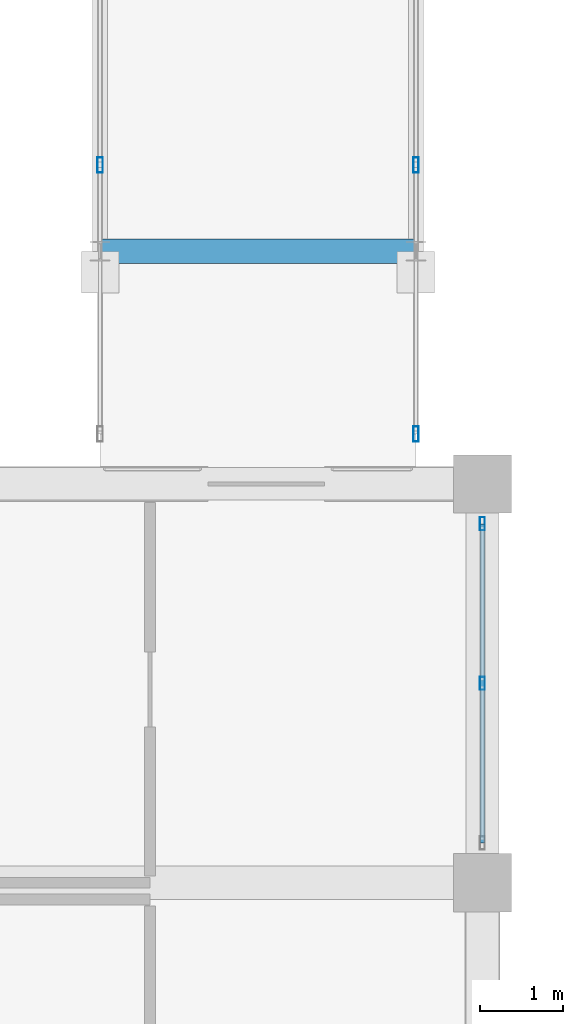
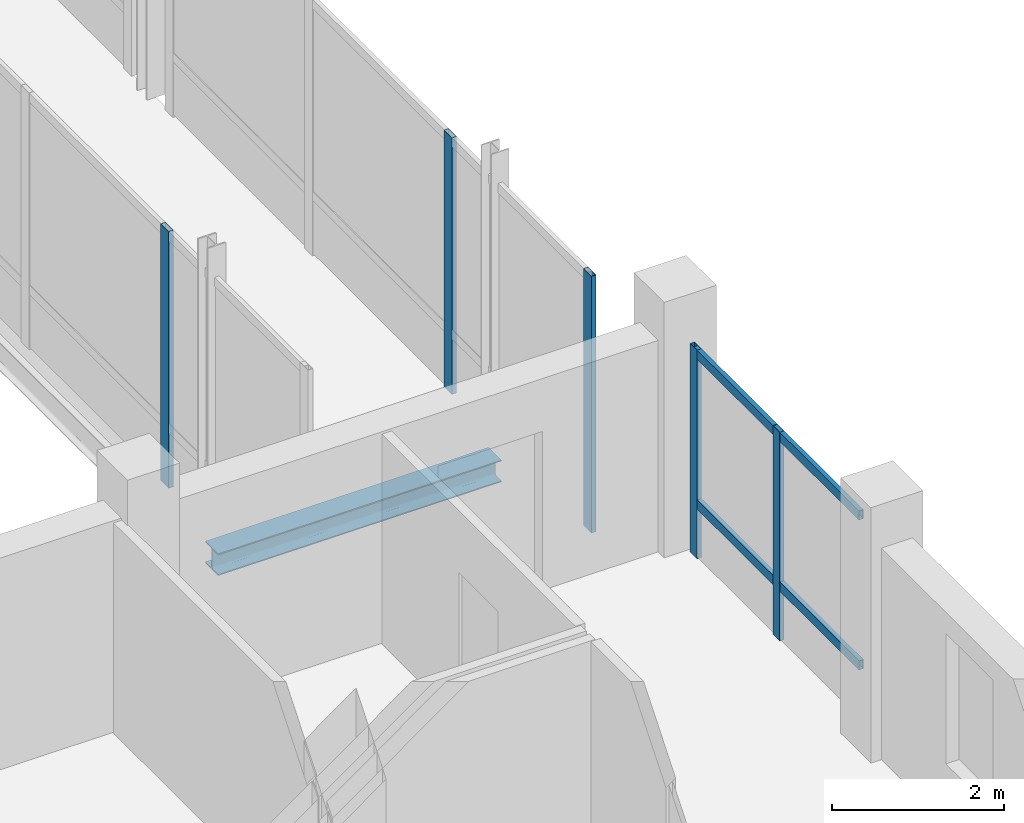
# One storey, part 31 of 128: 7 members, 1 beam, 3 elements without a shape of their own.
"""IFC4 building model written with IfcOpenShell, lengths in metres."""

from ifc_helpers import new_model, si_unit, direction, frame, origin, origin_2d, place, context, subcontext, project, spatial, hollow_rectangle, i_section, extrude, material, material_profile, profile_set, type_object, element, aggregate, save


model = new_model("IFC4")

# Units and contexts
model_context = context("Model", 3, precision=1e-05, world=origin(), true_north=direction((0.0, 1.0)))
body_context = subcontext(model_context, "Body", "Model", "MODEL_VIEW")
ifc_project = project(units=[si_unit("LENGTHUNIT", "METRE"), si_unit("AREAUNIT", "SQUARE_METRE"), si_unit("VOLUMEUNIT", "CUBIC_METRE"), si_unit("PLANEANGLEUNIT", "RADIAN"), si_unit("MASSUNIT", "GRAM", prefix="KILO")], contexts=[model_context])

# Site, building, storey
site_placement = place(None, origin())
site = spatial("IfcSite", under=ifc_project, at=site_placement, CompositionType="ELEMENT")
building_placement = place(site_placement, origin())
building = spatial("IfcBuilding", under=site, at=building_placement, Name="Zornivar Specialist Clinic", CompositionType="ELEMENT")
storey_placement = place(building_placement, frame((0.0, 0.0, 4.5)))
storey = spatial("IfcBuildingStorey", under=building, at=storey_placement, Name="L01", CompositionType="ELEMENT", Elevation=4.5)

# Beam
ifc_material_1 = material(Name="Steel S355J2", Category="steel")
ifc_material_profile_1 = material_profile(ifc_material_1, i_section(OverallWidth=0.300048828125, OverallDepth=0.31005859375, WebThickness=0.009033203125, FlangeThickness=0.015380859375, FilletRadius=0.027099609375, at=origin_2d()), Name="HEA 320")
ifc_profile_set_1 = profile_set([ifc_material_profile_1], Name="Steel S355J2")
beam_type = type_object("IfcBeamType", Name="BM-STL-HEA320", PredefinedType="BEAM", material=ifc_profile_set_1)
beam_placement = place(storey_placement, frame((9.800048828125, 60.39990234375, -0.429931640625), z_axis=(1.0, 0.0, 0.0), x_axis=(0.0, 1.0, 0.0)))
element("IfcBeam", 1, at=beam_placement, inside=storey, type_object=beam_type, Name="bm:BR2:L01:t:604", PredefinedType="BEAM", context=body_context, shape_type="SweptSolid", body=[
    extrude(i_section(OverallWidth=0.300048828125, OverallDepth=0.31005859375, WebThickness=0.009033203125, FlangeThickness=0.015380859375, FilletRadius=0.027099609375, at=origin_2d()), origin(), (0.0, 0.0, 1.0), 3.800048828125),
])

# Curtain wall, members
ifc_material_2 = material(Name="Aluminium and Low-E Glass Curtain Wall", Category="aluminium")
curtain_wall_type_1 = type_object("IfcCurtainWallType", Name="CW-REVAK-COURT", PredefinedType="NOTDEFINED", material=ifc_material_2)
curtain_wall_1_placement = place(storey_placement, origin())
curtain_wall_1 = element("IfcCurtainWall", 2, at=curtain_wall_1_placement, inside=storey, type_object=curtain_wall_type_1, Name="cw:V2:L01:20", PredefinedType="NOTDEFINED")
ifc_material_3 = material(Name="Aluminium AW-6060", Category="aluminium")
ifc_material_profile_2 = material_profile(ifc_material_3, hollow_rectangle(XDim=0.06005859375, YDim=0.159912109375, WallThickness=0.00390625, at=origin_2d()), Name="ALU 60x160x4")
ifc_profile_set_2 = profile_set([ifc_material_profile_2], Name="Aluminium AW-6060")
member_type_1 = type_object("IfcMemberType", Name="CWM-MUL-160", PredefinedType="MULLION", material=ifc_profile_set_2)
member_1_placement = place(storey_placement, frame((14.39990234375, 55.199951171875, 0.0), z_axis=(0.0, 0.0, 1.0), x_axis=(1.0, 0.0, 0.0)))
member_1 = element("IfcMember", 3, at=member_1_placement, type_object=member_type_1, Name="cw:V2:L01:20:mul:1", PredefinedType="MULLION", context=body_context, shape_type="SweptSolid", body=[
    extrude(hollow_rectangle(XDim=0.06005859375, YDim=0.159912109375, WallThickness=0.00390625, at=origin_2d()), origin(), (0.0, 0.0, 1.0), 2.9599609375),
])
member_2_placement = place(storey_placement, frame((14.39990234375, 57.1201171875, 0.0), z_axis=(0.0, 0.0, 1.0), x_axis=(1.0, 0.0, 0.0)))
member_2 = element("IfcMember", 4, at=member_2_placement, type_object=member_type_1, Name="cw:V2:L01:20:mul:2", PredefinedType="MULLION", context=body_context, shape_type="SweptSolid", body=[
    extrude(hollow_rectangle(XDim=0.06005859375, YDim=0.159912109375, WallThickness=0.00390625, at=origin_2d()), origin(), (0.0, 0.0, 1.0), 2.9599609375),
])

# Curtain wall, member
ifc_material_4 = material(Name="Aluminium and Low-E Glass Curtain Wall", Category="aluminium")
curtain_wall_type_2 = type_object("IfcCurtainWallType", Name="CW-BRIDGE-LINK", PredefinedType="NOTDEFINED", material=ifc_material_4)
curtain_wall_2_placement = place(storey_placement, origin())
curtain_wall_2 = element("IfcCurtainWall", 5, at=curtain_wall_2_placement, inside=storey, type_object=curtain_wall_type_2, Name="cw:BR2:L01:W:0", PredefinedType="NOTDEFINED")
ifc_material_5 = material(Name="Aluminium AW-6060", Category="aluminium")
ifc_material_profile_3 = material_profile(ifc_material_5, hollow_rectangle(XDim=0.06494140625, YDim=0.18505859375, WallThickness=0.00439453125, at=origin_2d()), Name="ALU 65x185x4.5")
ifc_profile_set_3 = profile_set([ifc_material_profile_3], Name="Aluminium AW-6060")
member_type_2 = type_object("IfcMemberType", Name="CWM-MUL-185", PredefinedType="MULLION", material=ifc_profile_set_3)
member_3_placement = place(storey_placement, frame((9.800048828125, 61.43994140625, 0.0), z_axis=(0.0, 0.0, 1.0), x_axis=(1.0, 0.0, 0.0)))
member_3 = element("IfcMember", 6, at=member_3_placement, type_object=member_type_2, Name="cw:BR2:L01:W:0:mul:1", PredefinedType="MULLION", context=body_context, shape_type="SweptSolid", body=[
    extrude(hollow_rectangle(XDim=0.06494140625, YDim=0.18505859375, WallThickness=0.00439453125, at=origin_2d()), origin(), (0.0, 0.0, 1.0), 3.639892578125),
])
aggregate(curtain_wall_2, [member_3])

# Curtain wall, members
curtain_wall_3_placement = place(storey_placement, origin())
curtain_wall_3 = element("IfcCurtainWall", 7, at=curtain_wall_3_placement, inside=storey, type_object=curtain_wall_type_2, Name="cw:BR2:L01:E:0", PredefinedType="NOTDEFINED")
member_4_placement = place(storey_placement, frame((13.60009765625, 58.199951171875, 0.0), z_axis=(0.0, 0.0, 1.0), x_axis=(1.0, 0.0, 0.0)))
member_4 = element("IfcMember", 8, at=member_4_placement, type_object=member_type_2, Name="cw:BR2:L01:E:0:mul:0", PredefinedType="MULLION", context=body_context, shape_type="SweptSolid", body=[
    extrude(hollow_rectangle(XDim=0.06494140625, YDim=0.18505859375, WallThickness=0.00439453125, at=origin_2d()), origin(), (0.0, 0.0, 1.0), 3.639892578125),
])
member_5_placement = place(storey_placement, frame((13.60009765625, 61.43994140625, 0.0), z_axis=(0.0, 0.0, 1.0), x_axis=(1.0, 0.0, 0.0)))
member_5 = element("IfcMember", 9, at=member_5_placement, type_object=member_type_2, Name="cw:BR2:L01:E:0:mul:1", PredefinedType="MULLION", context=body_context, shape_type="SweptSolid", body=[
    extrude(hollow_rectangle(XDim=0.06494140625, YDim=0.18505859375, WallThickness=0.00439453125, at=origin_2d()), origin(), (0.0, 0.0, 1.0), 3.639892578125),
])
aggregate(curtain_wall_3, [member_4, member_5])

# Member
ifc_material_6 = material(Name="Aluminium AW-6060", Category="aluminium")
ifc_material_profile_4 = material_profile(ifc_material_6, hollow_rectangle(XDim=0.06005859375, YDim=0.1298828125, WallThickness=0.00390625, at=origin_2d()), Name="ALU 60x130x4")
ifc_profile_set_4 = profile_set([ifc_material_profile_4], Name="Aluminium AW-6060")
member_type_3 = type_object("IfcMemberType", Name="CWM-TRN-130", PredefinedType="USERDEFINED", material=ifc_profile_set_4)
member_6_placement = place(storey_placement, frame((14.39990234375, 53.280029296875, 0.77001953125), z_axis=(0.0, 1.0, 0.0), x_axis=(-1.0, 0.0, 0.0)))
member_6 = element("IfcMember", 10, at=member_6_placement, type_object=member_type_3, Name="cw:V2:L01:20:trn:0", ObjectType="TRANSOM", PredefinedType="USERDEFINED", context=body_context, shape_type="SweptSolid", body=[
    extrude(hollow_rectangle(XDim=0.06005859375, YDim=0.1298828125, WallThickness=0.00390625, at=origin_2d()), origin(), (0.0, 0.0, 1.0), 3.840087890625),
])

member_7_placement = place(storey_placement, frame((14.39990234375, 53.280029296875, 2.89501953125), z_axis=(0.0, 1.0, 0.0), x_axis=(-1.0, 0.0, 0.0)))
member_7 = element("IfcMember", 11, at=member_7_placement, type_object=member_type_3, Name="cw:V2:L01:20:trn:1", ObjectType="TRANSOM", PredefinedType="USERDEFINED", context=body_context, shape_type="SweptSolid", body=[
    extrude(hollow_rectangle(XDim=0.06005859375, YDim=0.1298828125, WallThickness=0.00390625, at=origin_2d()), origin(), (0.0, 0.0, 1.0), 3.840087890625),
])

aggregate(curtain_wall_1, [member_1, member_2, member_6, member_7])

save(model, "model.ifc")
